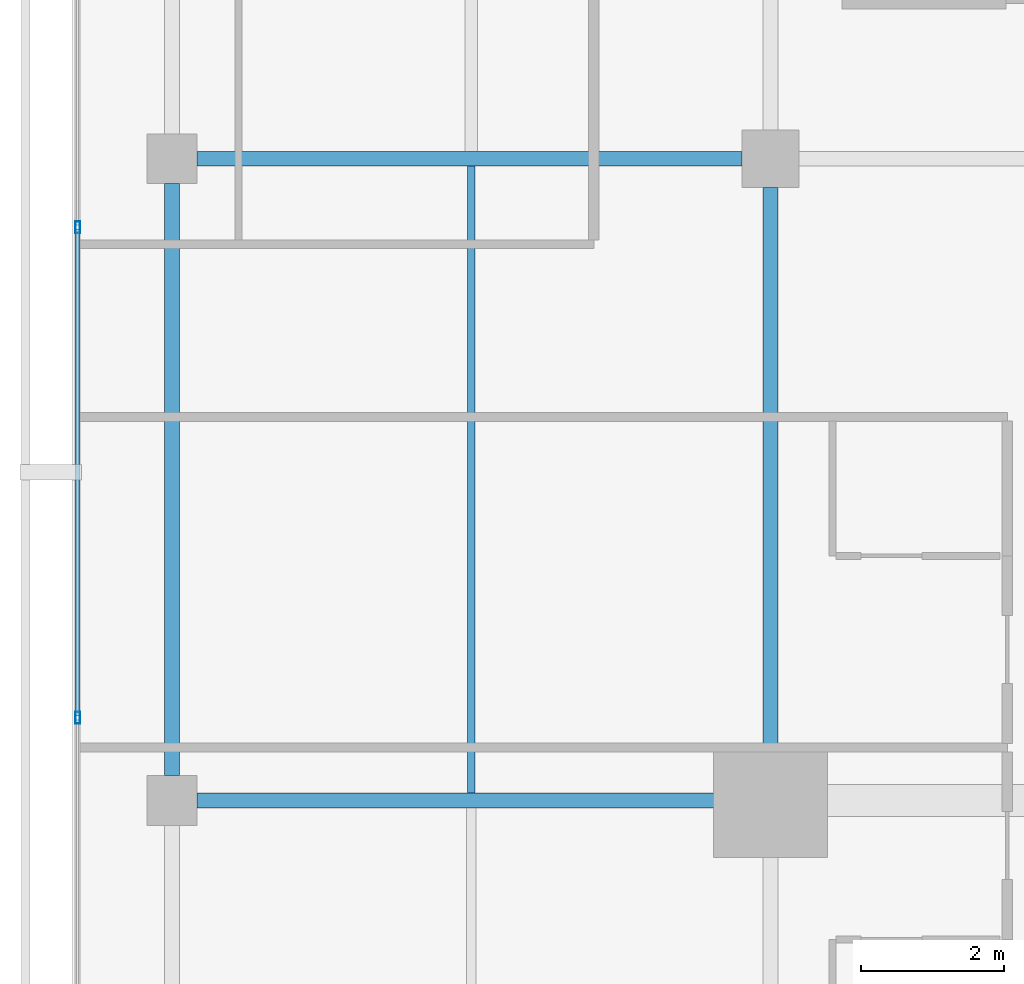
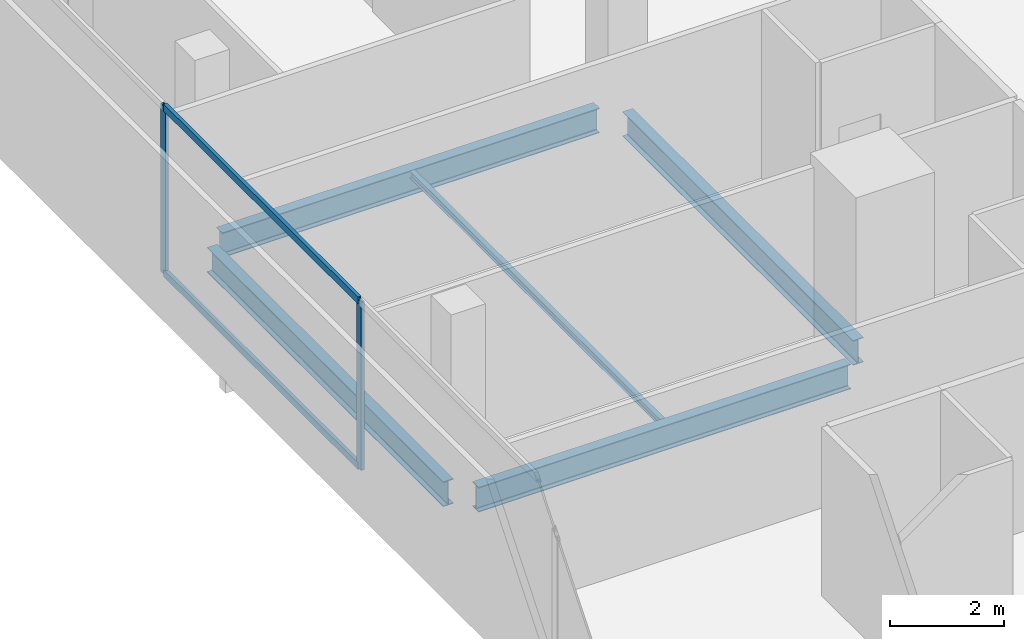
# One storey, part 8 of 25: 5 beams, 4 members, 1 element without a shape of its own.
"""IFC4 building model written with IfcOpenShell, lengths in metres."""

from ifc_helpers import new_model, si_unit, direction, frame, origin, origin_2d, place, context, subcontext, project, spatial, hollow_rectangle, i_section, extrude, material, layer, layer_set, material_profile, profile_set, type_object, element, aggregate, save


model = new_model("IFC4")

# Units and contexts
model_context = context("Model", 3, precision=1e-05, world=origin(), true_north=direction((0.0, 1.0)))
body_context = subcontext(model_context, "Body", "Model", "MODEL_VIEW")
ifc_project = project(units=[si_unit("LENGTHUNIT", "METRE"), si_unit("AREAUNIT", "SQUARE_METRE"), si_unit("VOLUMEUNIT", "CUBIC_METRE"), si_unit("PLANEANGLEUNIT", "RADIAN"), si_unit("MASSUNIT", "GRAM", prefix="KILO")], contexts=[model_context])

# Site, building, storey
site_placement = place(None, origin())
site = spatial("IfcSite", under=ifc_project, at=site_placement, CompositionType="ELEMENT")
building_placement = place(site_placement, origin())
building = spatial("IfcBuilding", under=site, at=building_placement, Name="Maruvema Waterfront Hotel and Observation Tower", CompositionType="ELEMENT")
storey_placement = place(building_placement, frame((0.0, 0.0, 274.050048828125)))
storey = spatial("IfcBuildingStorey", under=building, at=storey_placement, Name="L67", CompositionType="ELEMENT", Elevation=274.050048828125)

# Curtain wall, members
ifc_material_1 = material(Name="Anodised bronze aluminium and solar-control low-E IGU", Category="aluminium")
ifc_layer = layer(ifc_material_1, 0.159912109375, Name="Zone 3 Champagne Inner Thermal Curtain Wall System CW-04")
ifc_layer_set = layer_set([ifc_layer], Name="Anodised bronze aluminium and solar-control low-E IGU")
curtain_wall_type = type_object("IfcCurtainWallType", Name="Zone 3 Champagne Inner Thermal Curtain Wall System CW-04", PredefinedType="USERDEFINED", material=ifc_layer_set)
curtain_wall_placement = place(storey_placement, origin())
curtain_wall = element("IfcCurtainWall", 1, at=curtain_wall_placement, inside=storey, type_object=curtain_wall_type, Name="L67 Curtain Wall CW-L67-W", ObjectType="UNITISED CURTAIN WALL", PredefinedType="USERDEFINED")
ifc_material_2 = material(Name="Anodised architectural bronze aluminium", Category="aluminium")
ifc_material_profile_1 = material_profile(ifc_material_2, hollow_rectangle(XDim=0.070068359375, YDim=0.14990234375, WallThickness=0.00390625, at=origin_2d()), Name="ALU-T70x150")
ifc_profile_set_1 = profile_set([ifc_material_profile_1], Name="Anodised architectural bronze aluminium")
member_type_1 = type_object("IfcMemberType", Name="Curtain Wall Horizontal Transom ALU-T70x150", PredefinedType="USERDEFINED", material=ifc_profile_set_1)
member_1_placement = place(storey_placement, frame((15.47998046875, 35.010009765625, 0.030029296875), z_axis=(0.0, -1.0, 0.0), x_axis=(1.0, 0.0, 0.0)))
member_1 = element("IfcMember", 2, at=member_1_placement, type_object=member_type_1, Name="CW-04 transom 3.1", ObjectType="TRANSOM", PredefinedType="USERDEFINED", context=body_context, shape_type="SweptSolid", body=[
    extrude(hollow_rectangle(XDim=0.070068359375, YDim=0.14990234375, WallThickness=0.00390625, at=origin_2d()), origin(), (0.0, 0.0, 1.0), 6.820068359375),
])
member_2_placement = place(storey_placement, frame((15.47998046875, 35.010009765625, 3.579833984375), z_axis=(0.0, -1.0, 0.0), x_axis=(1.0, 0.0, 0.0)))
member_2 = element("IfcMember", 3, at=member_2_placement, type_object=member_type_1, Name="CW-04 transom 3.2", ObjectType="TRANSOM", PredefinedType="USERDEFINED", context=body_context, shape_type="SweptSolid", body=[
    extrude(hollow_rectangle(XDim=0.070068359375, YDim=0.14990234375, WallThickness=0.00390625, at=origin_2d()), origin(), (0.0, 0.0, 1.0), 6.820068359375),
])
ifc_material_3 = material(Name="Anodised architectural bronze aluminium", Category="aluminium")
ifc_material_profile_2 = material_profile(ifc_material_3, hollow_rectangle(XDim=0.06494140625, YDim=0.1650390625, WallThickness=0.00390625, at=origin_2d()), Name="ALU-M65x165")
ifc_profile_set_2 = profile_set([ifc_material_profile_2], Name="Anodised architectural bronze aluminium")
member_type_2 = type_object("IfcMemberType", Name="Curtain Wall Primary Mullion ALU-M65x165", PredefinedType="MULLION", material=ifc_profile_set_2)
member_3_placement = place(storey_placement, frame((15.47998046875, 35.0400390625, 0.0), z_axis=(0.0, 0.0, 1.0), x_axis=(1.0, 0.0, 0.0)))
member_3 = element("IfcMember", 4, at=member_3_placement, type_object=member_type_2, Name="CW-04 mullion 3", PredefinedType="MULLION", context=body_context, shape_type="SweptSolid", body=[
    extrude(hollow_rectangle(XDim=0.06494140625, YDim=0.1650390625, WallThickness=0.00390625, at=origin_2d()), origin(), (0.0, 0.0, 1.0), 3.60986328125),
])
member_4_placement = place(storey_placement, frame((15.47998046875, 28.159912109375, 0.0), z_axis=(0.0, 0.0, 1.0), x_axis=(1.0, 0.0, 0.0)))
member_4 = element("IfcMember", 5, at=member_4_placement, type_object=member_type_2, Name="CW-04 mullion 4", PredefinedType="MULLION", context=body_context, shape_type="SweptSolid", body=[
    extrude(hollow_rectangle(XDim=0.06494140625, YDim=0.1650390625, WallThickness=0.00390625, at=origin_2d()), origin(), (0.0, 0.0, 1.0), 3.60986328125),
])
aggregate(curtain_wall, [member_3, member_4, member_1, member_2])

# Beams
ifc_material_4 = material(Name="Steel ASTM A572 Grade 50", Category="steel")
ifc_material_profile_3 = material_profile(ifc_material_4, i_section(OverallWidth=0.208984375, OverallDepth=0.532958984375, WebThickness=0.01025390625, FlangeThickness=0.015625, FilletRadius=0.014892578125, at=origin_2d()), Name="W530x92.0")
ifc_profile_set_3 = profile_set([ifc_material_profile_3], Name="Steel ASTM A572 Grade 50")
beam_type_1 = type_object("IfcBeamType", Name="Primary Floor Girder W530x92.0", PredefinedType="BEAM", material=ifc_profile_set_3)
beam_1_placement = place(storey_placement, frame((17.14990234375, 27.0, -0.506591796875), z_axis=(1.0, 0.0, 0.0), x_axis=(0.0, 1.0, 0.0)))
element("IfcBeam", 6, at=beam_1_placement, inside=storey, type_object=beam_type_1, Name="L67 Floor Girder EW-09", PredefinedType="BEAM", context=body_context, shape_type="SweptSolid", body=[
    extrude(i_section(OverallWidth=0.208984375, OverallDepth=0.532958984375, WebThickness=0.01025390625, FlangeThickness=0.015625, FilletRadius=0.014892578125, at=origin_2d()), origin(), (0.0, 0.0, 1.0), 7.550048828125),
])
beam_2_placement = place(storey_placement, frame((17.14990234375, 36.0, -0.506591796875), z_axis=(1.0, 0.0, 0.0), x_axis=(0.0, 1.0, 0.0)))
element("IfcBeam", 7, at=beam_2_placement, inside=storey, type_object=beam_type_1, Name="L67 Floor Girder EW-12", PredefinedType="BEAM", context=body_context, shape_type="SweptSolid", body=[
    extrude(i_section(OverallWidth=0.208984375, OverallDepth=0.532958984375, WebThickness=0.01025390625, FlangeThickness=0.015625, FilletRadius=0.014892578125, at=origin_2d()), origin(), (0.0, 0.0, 1.0), 7.650146484375),
])
beam_3_placement = place(storey_placement, frame((16.800048828125, 27.35009765625, -0.506591796875), z_axis=(0.0, 1.0, 0.0), x_axis=(-1.0, 0.0, 0.0)))
element("IfcBeam", 8, at=beam_3_placement, inside=storey, type_object=beam_type_1, Name="L67 Floor Girder NS-02", PredefinedType="BEAM", context=body_context, shape_type="SweptSolid", body=[
    extrude(i_section(OverallWidth=0.208984375, OverallDepth=0.532958984375, WebThickness=0.01025390625, FlangeThickness=0.015625, FilletRadius=0.014892578125, at=origin_2d()), origin(), (0.0, 0.0, 1.0), 8.2998046875),
])
beam_4_placement = place(storey_placement, frame((25.199951171875, 27.5, -0.506591796875), z_axis=(0.0, 1.0, 0.0), x_axis=(-1.0, 0.0, 0.0)))
element("IfcBeam", 9, at=beam_4_placement, inside=storey, type_object=beam_type_1, Name="L67 Floor Girder NS-06", PredefinedType="BEAM", context=body_context, shape_type="SweptSolid", body=[
    extrude(i_section(OverallWidth=0.208984375, OverallDepth=0.532958984375, WebThickness=0.01025390625, FlangeThickness=0.015625, FilletRadius=0.014892578125, at=origin_2d()), origin(), (0.0, 0.0, 1.0), 8.10009765625),
])
ifc_material_5 = material(Name="Steel ASTM A572 Grade 50", Category="steel")
ifc_material_profile_4 = material_profile(ifc_material_5, i_section(OverallWidth=0.10009765625, OverallDepth=0.153076171875, WebThickness=0.005859375, FlangeThickness=0.007080078125, FilletRadius=0.008056640625, at=origin_2d()), Name="W150x18.0")
ifc_profile_set_4 = profile_set([ifc_material_profile_4], Name="Steel ASTM A572 Grade 50")
beam_type_2 = type_object("IfcBeamType", Name="Secondary Floor Joist W150x18.0", PredefinedType="JOIST", material=ifc_profile_set_4)
beam_5_placement = place(storey_placement, frame((21.0, 27.1044921875, -0.316650390625), z_axis=(0.0, 1.0, 0.0), x_axis=(-1.0, 0.0, 0.0)))
element("IfcBeam", 10, at=beam_5_placement, inside=storey, type_object=beam_type_2, Name="L67 Secondary Floor Joist JS-02", PredefinedType="JOIST", context=body_context, shape_type="SweptSolid", body=[
    extrude(i_section(OverallWidth=0.10009765625, OverallDepth=0.153076171875, WebThickness=0.005859375, FlangeThickness=0.007080078125, FilletRadius=0.008056640625, at=origin_2d()), origin(), (0.0, 0.0, 1.0), 8.791015625),
])

save(model, "model.ifc")
